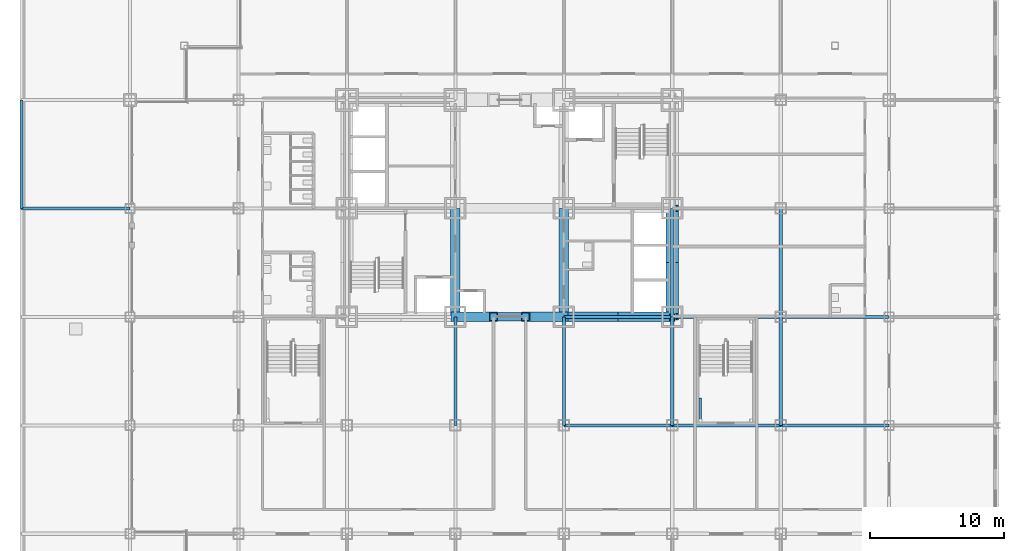
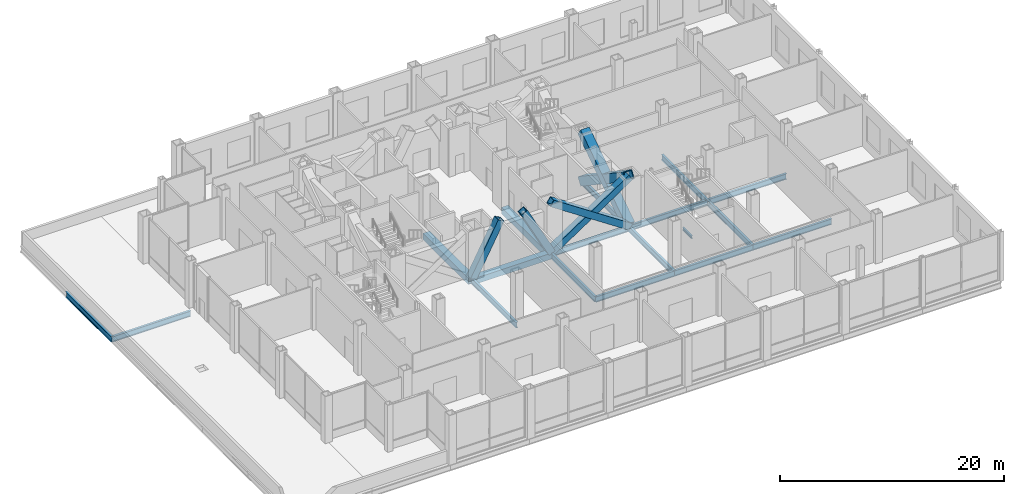
# One storey, part 11 of 26: 18 beams, 6 members.
"""IFC4 building model written with IfcOpenShell, lengths in metres."""

from ifc_helpers import new_model, si_unit, direction, frame, origin, origin_2d, place, context, subcontext, project, spatial, hollow_rectangle, i_section, extrude, material, material_profile, profile_set, type_object, element, save


model = new_model("IFC4")

# Units and contexts
model_context = context("Model", 3, precision=1e-05, world=origin(), true_north=direction((0.0, 1.0)))
body_context = subcontext(model_context, "Body", "Model", "MODEL_VIEW")
ifc_project = project(units=[si_unit("LENGTHUNIT", "METRE"), si_unit("AREAUNIT", "SQUARE_METRE"), si_unit("VOLUMEUNIT", "CUBIC_METRE"), si_unit("PLANEANGLEUNIT", "RADIAN"), si_unit("MASSUNIT", "GRAM", prefix="KILO")], contexts=[model_context])

# Site, building, storey
site_placement = place(None, origin())
site = spatial("IfcSite", under=ifc_project, at=site_placement, CompositionType="ELEMENT")
building_placement = place(site_placement, origin())
building = spatial("IfcBuilding", under=site, at=building_placement, Name="Kopane Lantern Tower", CompositionType="ELEMENT")
storey_placement = place(building_placement, frame((0.0, 0.0, 16.800048828125)))
storey = spatial("IfcBuildingStorey", under=building, at=storey_placement, Name="L03", CompositionType="ELEMENT", Elevation=16.800048828125)

# Members
ifc_material_1 = material(Name="Steel S355JR", Category="steel")
ifc_material_profile_1 = material_profile(ifc_material_1, hollow_rectangle(XDim=0.699951171875, YDim=0.699951171875, WallThickness=0.06005859375, at=origin_2d()), Name="BOX 700x700x60")
ifc_profile_set_1 = profile_set([ifc_material_profile_1], Name="Steel S355JR")
member_type_1 = type_object("IfcMemberType", Name="BRACE BOX 700x700x60", PredefinedType="BRACE", material=ifc_profile_set_1)
for number, where, z_axis, x_axis, name in (
    (1, (24.300048828125, 24.300048828125, -0.25), (0.46674645747, 0.0, 0.88439117162), (0.0, 1.0, 0.0), "Core brace L03"),
    (2, (32.39990234375, 24.300048828125, -0.25), (-0.46674645747, 0.0, 0.88439117162), (0.0, -1.0, 0.0), "Core brace L03"),
):
    element("IfcMember", number, at=place(storey_placement, frame(where, z_axis=z_axis, x_axis=x_axis)), inside=storey, type_object=member_type_1, Name=name, PredefinedType="BRACE", context=body_context, shape_type="SweptSolid", body=[
        extrude(hollow_rectangle(XDim=0.699951171875, YDim=0.699951171875, WallThickness=0.06005859375, at=origin_2d()), origin(), (0.0, 0.0, 1.0), 6.105712890625),
    ])
for number, where, z_axis, x_axis, name in (
    (3, (32.39990234375, 24.300048828125, -0.25), (0.832058010752, 0.0, 0.55468862143), (0.0, 1.0, 0.0), "Core brace L03"),
    (4, (40.5, 24.300048828125, -0.25), (-0.832058010752, 0.0, 0.55468862143), (0.0, -1.0, 0.0), "Core brace L03"),
):
    element("IfcMember", number, at=place(storey_placement, frame(where, z_axis=z_axis, x_axis=x_axis)), inside=storey, type_object=member_type_1, Name=name, PredefinedType="BRACE", context=body_context, shape_type="SweptSolid", body=[
        extrude(hollow_rectangle(XDim=0.699951171875, YDim=0.699951171875, WallThickness=0.06005859375, at=origin_2d()), origin(), (0.0, 0.0, 1.0), 9.735107421875),
    ])
ifc_material_2 = material(Name="Steel S355JR", Category="steel")
ifc_material_profile_2 = material_profile(ifc_material_2, hollow_rectangle(XDim=0.89990234375, YDim=0.89990234375, WallThickness=0.090087890625, at=origin_2d()), Name="BOX 900x900x90")
ifc_profile_set_2 = profile_set([ifc_material_profile_2], Name="Steel S355JR")
member_type_2 = type_object("IfcMemberType", Name="BRACE BOX 900x900x90", PredefinedType="BRACE", material=ifc_profile_set_2)
for number, where, z_axis, x_axis, name in (
    (5, (40.5, 24.300048828125, -0.25), (0.0, 0.832050294338, 0.554700196225), (-1.0, 0.0, 0.0), "Core brace L03"),
    (6, (40.5, 32.39990234375, -0.25), (0.0, -0.832050294338, 0.554700196225), (1.0, 0.0, 0.0), "Core brace L03"),
):
    element("IfcMember", number, at=place(storey_placement, frame(where, z_axis=z_axis, x_axis=x_axis)), inside=storey, type_object=member_type_2, Name=name, PredefinedType="BRACE", context=body_context, shape_type="SweptSolid", body=[
        extrude(hollow_rectangle(XDim=0.89990234375, YDim=0.89990234375, WallThickness=0.090087890625, at=origin_2d()), origin(), (0.0, 0.0, 1.0), 9.73486328125),
    ])

# Beams
ifc_material_3 = material(Name="Steel S355JR", Category="steel")
ifc_material_profile_3 = material_profile(ifc_material_3, hollow_rectangle(XDim=0.699951171875, YDim=0.699951171875, WallThickness=0.06005859375, at=origin_2d()), Name="BOX 700x700x60")
ifc_profile_set_3 = profile_set([ifc_material_profile_3], Name="Steel S355JR")
beam_type_1 = type_object("IfcBeamType", Name="CORE BEAM BOX 700x700x60", PredefinedType="BEAM", material=ifc_profile_set_3)
for number, where, z_axis, x_axis, name in (
    (7, (24.300048828125, 24.300048828125, -0.60009765625), (0.0, 1.0, 0.0), (-1.0, 0.0, 0.0), "Core Beam L03"),
    (8, (32.39990234375, 24.300048828125, -0.60009765625), (0.0, 1.0, 0.0), (-1.0, 0.0, 0.0), "Core Beam L03"),
):
    element("IfcBeam", number, at=place(storey_placement, frame(where, z_axis=z_axis, x_axis=x_axis)), inside=storey, type_object=beam_type_1, Name=name, PredefinedType="BEAM", context=body_context, shape_type="SweptSolid", body=[
        extrude(hollow_rectangle(XDim=0.699951171875, YDim=0.699951171875, WallThickness=0.06005859375, at=origin_2d()), origin(), (0.0, 0.0, 1.0), 8.099853515625),
    ])
ifc_material_4 = material(Name="Steel S355JR", Category="steel")
ifc_material_profile_4 = material_profile(ifc_material_4, i_section(OverallWidth=0.22900390625, OverallDepth=0.6123046875, WebThickness=0.011962890625, FlangeThickness=0.01953125, FilletRadius=0.0126953125, at=origin_2d()), Name="UB 610x229x125")
ifc_profile_set_4 = profile_set([ifc_material_profile_4], Name="Steel S355JR")
beam_type_2 = type_object("IfcBeamType", Name="GIRDER UB 610x229x125", PredefinedType="BEAM", material=ifc_profile_set_4)
for number, where, z_axis, x_axis, name in (
    (9, (-8.10009765625, 32.39990234375, -0.55615234375), (0.0, 1.0, 0.0), (-1.0, 0.0, 0.0), "Girder L03"),
    (10, (-8.10009765625, 32.39990234375, -0.55615234375), (1.0, 0.0, 0.0), (0.0, 1.0, 0.0), "Girder L03"),
    (11, (24.300048828125, 16.199951171875, -0.55615234375), (0.0, 1.0, 0.0), (-1.0, 0.0, 0.0), "Girder L03"),
    (12, (32.39990234375, 16.199951171875, -0.55615234375), (0.0, 1.0, 0.0), (-1.0, 0.0, 0.0), "Girder L03"),
    (13, (32.39990234375, 16.199951171875, -0.55615234375), (1.0, 0.0, 0.0), (0.0, 1.0, 0.0), "Girder L03"),
    (14, (32.39990234375, 24.300048828125, -0.55615234375), (1.0, 0.0, 0.0), (0.0, 1.0, 0.0), "Girder L03"),
    (15, (40.5, 16.199951171875, -0.55615234375), (0.0, 1.0, 0.0), (-1.0, 0.0, 0.0), "Girder L03"),
    (16, (40.5, 16.199951171875, -0.55615234375), (1.0, 0.0, 0.0), (0.0, 1.0, 0.0), "Girder L03"),
):
    element("IfcBeam", number, at=place(storey_placement, frame(where, z_axis=z_axis, x_axis=x_axis)), inside=storey, type_object=beam_type_2, Name=name, PredefinedType="BEAM", context=body_context, shape_type="SweptSolid", body=[
        extrude(i_section(OverallWidth=0.22900390625, OverallDepth=0.6123046875, WebThickness=0.011962890625, FlangeThickness=0.01953125, FilletRadius=0.0126953125, at=origin_2d()), origin(), (0.0, 0.0, 1.0), 8.10009765625),
    ])
beam_1_placement = place(storey_placement, frame((40.5, 24.300048828125, -0.55615234375), z_axis=(0.0, 1.0, 0.0), x_axis=(-1.0, 0.0, 0.0)))
element("IfcBeam", 17, at=beam_1_placement, inside=storey, type_object=beam_type_2, Name="Girder L03", PredefinedType="BEAM", context=body_context, shape_type="SweptSolid", body=[
    extrude(i_section(OverallWidth=0.22900390625, OverallDepth=0.6123046875, WebThickness=0.011962890625, FlangeThickness=0.01953125, FilletRadius=0.0126953125, at=origin_2d()), origin(), (0.0, 0.0, 1.0), 8.099853515625),
])
for number, where, z_axis, x_axis, name in (
    (18, (40.5, 24.300048828125, -0.55615234375), (1.0, 0.0, 0.0), (0.0, 1.0, 0.0), "Girder L03"),
    (19, (48.60009765625, 16.199951171875, -0.55615234375), (0.0, 1.0, 0.0), (-1.0, 0.0, 0.0), "Girder L03"),
):
    element("IfcBeam", number, at=place(storey_placement, frame(where, z_axis=z_axis, x_axis=x_axis)), inside=storey, type_object=beam_type_2, Name=name, PredefinedType="BEAM", context=body_context, shape_type="SweptSolid", body=[
        extrude(i_section(OverallWidth=0.22900390625, OverallDepth=0.6123046875, WebThickness=0.011962890625, FlangeThickness=0.01953125, FilletRadius=0.0126953125, at=origin_2d()), origin(), (0.0, 0.0, 1.0), 8.10009765625),
    ])
for number, where, z_axis, x_axis, name in (
    (20, (48.60009765625, 16.199951171875, -0.55615234375), (1.0, 0.0, 0.0), (0.0, 1.0, 0.0), "Girder L03"),
    (21, (48.60009765625, 24.300048828125, -0.55615234375), (0.0, 1.0, 0.0), (-1.0, 0.0, 0.0), "Girder L03"),
    (22, (48.60009765625, 24.300048828125, -0.55615234375), (1.0, 0.0, 0.0), (0.0, 1.0, 0.0), "Girder L03"),
):
    element("IfcBeam", number, at=place(storey_placement, frame(where, z_axis=z_axis, x_axis=x_axis)), inside=storey, type_object=beam_type_2, Name=name, PredefinedType="BEAM", context=body_context, shape_type="SweptSolid", body=[
        extrude(i_section(OverallWidth=0.22900390625, OverallDepth=0.6123046875, WebThickness=0.011962890625, FlangeThickness=0.01953125, FilletRadius=0.0126953125, at=origin_2d()), origin(), (0.0, 0.0, 1.0), 8.099853515625),
    ])
ifc_material_5 = material(Name="Steel S355JR", Category="steel")
ifc_material_profile_5 = material_profile(ifc_material_5, hollow_rectangle(XDim=0.64990234375, YDim=0.64990234375, WallThickness=0.070068359375, at=origin_2d()), Name="BOX 650x650x70")
ifc_profile_set_5 = profile_set([ifc_material_profile_5], Name="Steel S355JR")
beam_type_3 = type_object("IfcBeamType", Name="LINK BEAM BOX 650x650x70", PredefinedType="BEAM", material=ifc_profile_set_5)
beam_2_placement = place(storey_placement, frame((24.300048828125, 24.300048828125, -0.574951171875), z_axis=(1.0, 0.0, 0.0), x_axis=(0.0, 1.0, 0.0)))
element("IfcBeam", 23, at=beam_2_placement, inside=storey, type_object=beam_type_3, Name="Link Beam L03", PredefinedType="BEAM", context=body_context, shape_type="SweptSolid", body=[
    extrude(hollow_rectangle(XDim=0.64990234375, YDim=0.64990234375, WallThickness=0.070068359375, at=origin_2d()), origin(), (0.0, 0.0, 1.0), 8.099853515625),
])
ifc_material_6 = material(Name="Steel S355JR", Category="steel")
ifc_material_profile_6 = material_profile(ifc_material_6, i_section(OverallWidth=0.1650390625, OverallDepth=0.303466796875, WebThickness=0.006103515625, FlangeThickness=0.01025390625, FilletRadius=0.0087890625, at=origin_2d()), Name="UB 305x165x40")
ifc_profile_set_6 = profile_set([ifc_material_profile_6], Name="Steel S355JR")
beam_type_4 = type_object("IfcBeamType", Name="STAIR LANDING BEAM UB 305x165x40", PredefinedType="BEAM", material=ifc_profile_set_6)
beam_3_placement = place(storey_placement, frame((42.58251953125, 16.64990234375, 2.34814453125), z_axis=(0.0, 1.0, 0.0), x_axis=(-1.0, 0.0, 0.0)))
element("IfcBeam", 24, at=beam_3_placement, inside=storey, type_object=beam_type_4, Name="Stair landing beam ST4 L03", PredefinedType="BEAM", context=body_context, shape_type="SweptSolid", body=[
    extrude(i_section(OverallWidth=0.1650390625, OverallDepth=0.303466796875, WebThickness=0.006103515625, FlangeThickness=0.01025390625, FilletRadius=0.0087890625, at=origin_2d()), origin(), (0.0, 0.0, 1.0), 1.60009765625),
])

save(model, "model.ifc")
